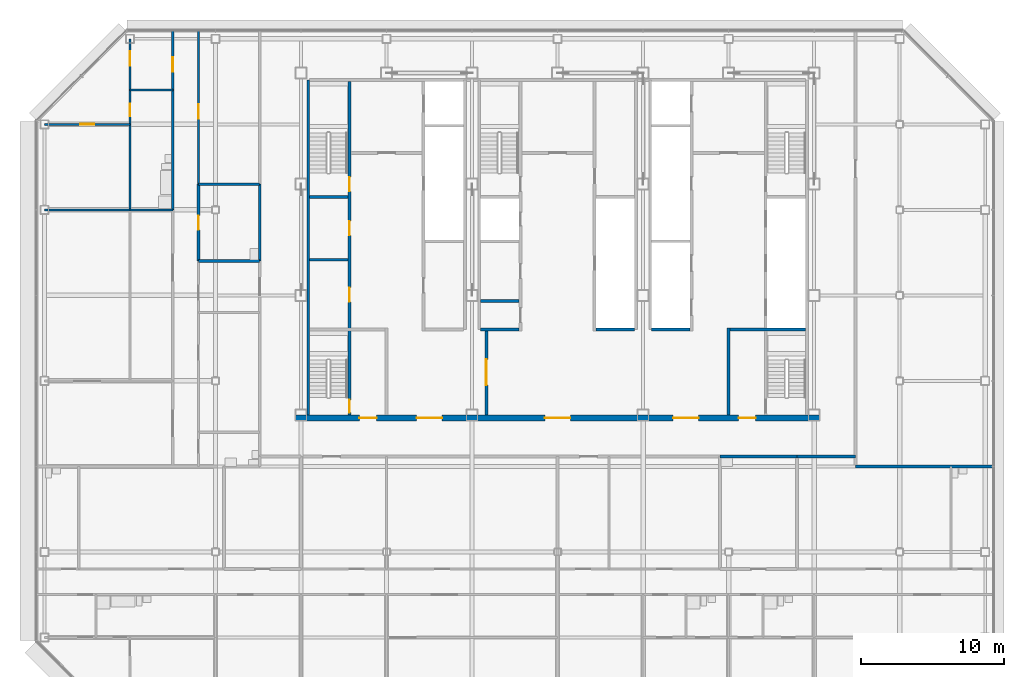
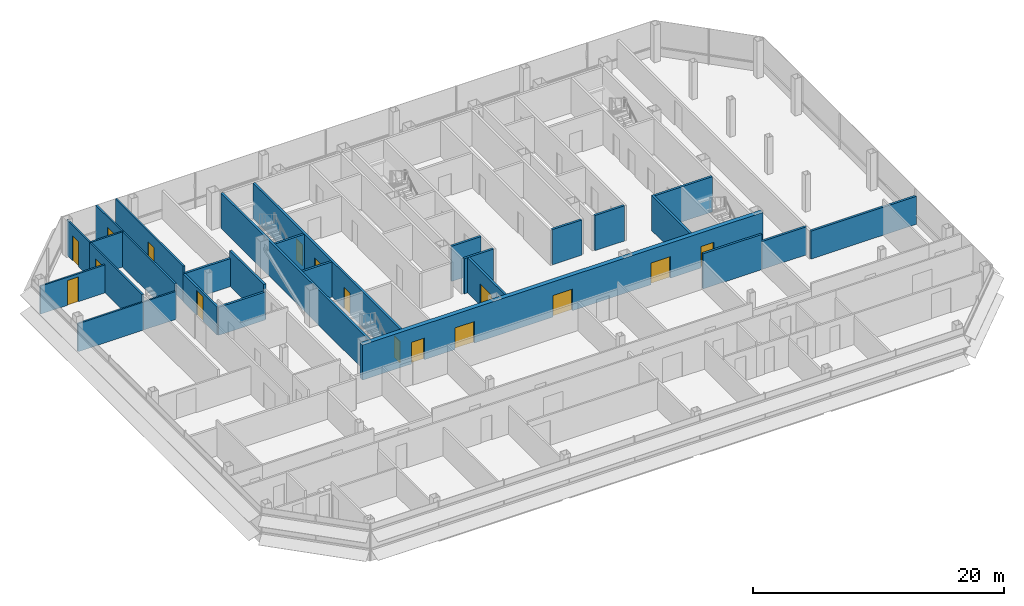
# One storey, part 23 of 27: 28 walls, 16 doors, 16 openings.
"""IFC4 building model written with IfcOpenShell, lengths in metres."""

from ifc_helpers import new_model, si_unit, direction, frame, frame_2d, origin, place, context, subcontext, project, spatial, rectangle, extrude, material, layer, layer_set, type_object, element, fill, save


model = new_model("IFC4")

# Units and contexts
model_context = context("Model", 3, precision=1e-05, world=origin(), true_north=direction((0.0, 1.0)))
body_context = subcontext(model_context, "Body", "Model", "MODEL_VIEW")
ifc_project = project(units=[si_unit("LENGTHUNIT", "METRE"), si_unit("AREAUNIT", "SQUARE_METRE"), si_unit("VOLUMEUNIT", "CUBIC_METRE"), si_unit("PLANEANGLEUNIT", "RADIAN"), si_unit("MASSUNIT", "GRAM", prefix="KILO")], contexts=[model_context])

# Site, building, storey
site_placement = place(None, origin())
site = spatial("IfcSite", under=ifc_project, at=site_placement, CompositionType="ELEMENT")
building_placement = place(site_placement, origin())
building = spatial("IfcBuilding", under=site, at=building_placement, Name="Sorahane Residences", CompositionType="ELEMENT")
storey_placement = place(building_placement, frame((0.0, 0.0, 246.800048828125)))
storey = spatial("IfcBuildingStorey", under=building, at=storey_placement, Name="L58", CompositionType="ELEMENT", Elevation=246.800048828125)

# Walls
ifc_material_1 = material(Name="Concrete C30", Category="concrete")
ifc_layer_1 = layer(ifc_material_1, 0.199951171875)
ifc_layer_set_1 = layer_set([ifc_layer_1], Name="Core face wall 200 EI 180")
wall_type_1 = type_object("IfcWallType", Name="Core face wall 200 EI 180", PredefinedType="SOLIDWALL", material=ifc_layer_set_1)
wall_1_placement = place(storey_placement, frame((6.5, 21.60009765625, 0.0), z_axis=(0.0, 0.0, 1.0), x_axis=(0.0, 1.0, 0.0)))
element("IfcWall", 1, at=wall_1_placement, inside=storey, type_object=wall_type_1, Name="L58 core face wall", PredefinedType="SOLIDWALL", context=body_context, shape_type="SweptSolid", body=[
    extrude(rectangle(XDim=23.5, YDim=0.199951171875, at=frame_2d((11.75, 0.0))), origin(), (0.0, 0.0, 1.0), 3.419921875),
])
ifc_material_2 = material(Name="Concrete blockwork C20 wall", Category="masonry")
ifc_layer_2 = layer(ifc_material_2, 0.199951171875)
ifc_layer_set_2 = layer_set([ifc_layer_2], Name="Corridor wall 200 EI 120")
wall_type_2 = type_object("IfcWallType", Name="Corridor wall 200 EI 120", PredefinedType="SOLIDWALL", material=ifc_layer_set_2)
wall_2_placement = place(storey_placement, frame((44.89990234375, 18.0, 0.0), z_axis=(0.0, 0.0, 1.0), x_axis=(1.0, 0.0, 0.0)))
element("IfcWall", 2, at=wall_2_placement, inside=storey, type_object=wall_type_2, Name="L58 corridor wall", PredefinedType="SOLIDWALL", context=body_context, shape_type="SweptSolid", body=[
    extrude(rectangle(XDim=9.7001953125, YDim=0.199951171875, at=frame_2d((4.85009765625, 0.0))), origin(), (0.0, 0.0, 1.0), 2.719970703125),
])
wall_3_placement = place(storey_placement, frame((40.800048828125, 18.699951171875, 0.0), z_axis=(0.0, 0.0, 1.0), x_axis=(1.0, 0.0, 0.0)))
element("IfcWall", 3, at=wall_3_placement, inside=storey, type_object=wall_type_2, Name="L58 corridor wall", PredefinedType="SOLIDWALL", context=body_context, shape_type="SweptSolid", body=[
    extrude(rectangle(XDim=4.099853515625, YDim=0.199951171875, at=frame_2d((2.0498046875, 0.0))), origin(), (0.0, 0.0, 1.0), 2.719970703125),
])
ifc_material_3 = material(Name="Concrete C30", Category="concrete")
ifc_layer_3 = layer(ifc_material_3, 0.199951171875)
ifc_layer_set_3 = layer_set([ifc_layer_3], Name="Front room wall 200 EI 120")
wall_type_3 = type_object("IfcWallType", Name="Front room wall 200 EI 120", PredefinedType="PARTITIONING", material=ifc_layer_set_3)
wall_4_placement = place(storey_placement, frame((36.0, 21.60009765625, 0.0), z_axis=(0.0, 0.0, 1.0), x_axis=(0.0, 1.0, 0.0)))
element("IfcWall", 4, at=wall_4_placement, inside=storey, type_object=wall_type_3, Name="L58 front room wall", PredefinedType="PARTITIONING", context=body_context, shape_type="SweptSolid", body=[
    extrude(rectangle(XDim=6.099853515625, YDim=0.199951171875, at=frame_2d((3.0498046875, 0.0))), origin(), (0.0, 0.0, 1.0), 3.419921875),
])

# Wall, opening, door
ifc_material_4 = material(Name="Concrete blockwork C20 wall", Category="masonry")
ifc_layer_4 = layer(ifc_material_4, 0.199951171875)
ifc_layer_set_4 = layer_set([ifc_layer_4], Name="Kitchen wall 200 EI 180")
wall_type_4 = type_object("IfcWallType", Name="Kitchen wall 200 EI 180", PredefinedType="SOLIDWALL", material=ifc_layer_set_4)
wall_5_placement = place(storey_placement, frame((-1.199951171875, 32.39990234375, 0.0), z_axis=(0.0, 0.0, 1.0), x_axis=(0.0, 1.0, 0.0)))
wall_5 = element("IfcWall", 5, at=wall_5_placement, inside=storey, type_object=wall_type_4, Name="L58 kitchen wall", PredefinedType="SOLIDWALL", context=body_context, shape_type="SweptSolid", body=[
    extrude(rectangle(XDim=5.400146484375, YDim=0.199951171875, at=frame_2d((2.7001953125, 0.0))), origin(), (0.0, 0.0, 1.0), 2.719970703125),
])
opening_1_placement = place(wall_5_placement, frame((2.199951171875, 0.0, 0.0)))
opening_1 = element("IfcOpeningElement", 6, at=opening_1_placement, cuts=wall_5, Name="Opening L58-31", PredefinedType="OPENING", context=body_context, shape_type="SweptSolid", body=[
    extrude(rectangle(XDim=1.0, YDim=2.39990234375, at=frame_2d((0.5, 1.199951171875))), frame((0.0, 0.10986328125, 0.0), z_axis=(0.0, -1.0, 0.0), x_axis=(1.0, 0.0, 0.0)), (0.0, 0.0, 1.0), 0.219970703125),
])
ifc_material_5 = material(Name="Steel", Category="steel")
door_type_1 = type_object("IfcDoorType", Name="Kitchen door 1000x2400 FD120", OperationType="NOTDEFINED", PredefinedType="DOOR", material=ifc_material_5)
door_1_placement = place(opening_1_placement, frame((1.0, 0.0, 0.0), z_axis=(0.0, 0.0, 1.0), x_axis=(-1.0, 0.0, 0.0)))
door_1 = element("IfcDoor", 7, at=door_1_placement, inside=storey, type_object=door_type_1, Name="Kitchen door L58-31", OperationType="SINGLE_SWING_LEFT", OverallHeight=2.39990234375, OverallWidth=1.0, PredefinedType="DOOR", context=body_context, shape_type="SweptSolid", body=[
    extrude(rectangle(XDim=1.0, YDim=2.39990234375, at=frame_2d((0.5, 1.199951171875))), frame((0.0, 0.02490234375, 0.0), z_axis=(0.0, -1.0, 0.0), x_axis=(1.0, 0.0, 0.0)), (0.0, 0.0, 1.0), 0.050048828125),
])
fill(opening_1, door_1)

# Walls
for number, where, z_axis, x_axis, name in (
    (8, (3.10009765625, 32.39990234375, 0.0), (0.0, 0.0, 1.0), (0.0, 1.0, 0.0), "L58 kitchen wall"),
    (9, (35.39990234375, 18.699951171875, 0.0), (0.0, 0.0, 1.0), (1.0, 0.0, 0.0), "L58 kitchen wall"),
):
    element("IfcWall", number, at=place(storey_placement, frame(where, z_axis=z_axis, x_axis=x_axis)), inside=storey, type_object=wall_type_4, Name=name, PredefinedType="SOLIDWALL", context=body_context, shape_type="SweptSolid", body=[
        extrude(rectangle(XDim=5.400146484375, YDim=0.199951171875, at=frame_2d((2.7001953125, 0.0))), origin(), (0.0, 0.0, 1.0), 3.419921875),
    ])
for number, where, z_axis, x_axis, name in (
    (10, (-1.199951171875, 32.39990234375, 0.0), (0.0, 0.0, 1.0), (1.0, 0.0, 0.0), "L58 kitchen wall"),
    (11, (-1.199951171875, 37.800048828125, 0.0), (0.0, 0.0, 1.0), (1.0, 0.0, 0.0), "L58 kitchen wall"),
):
    element("IfcWall", number, at=place(storey_placement, frame(where, z_axis=z_axis, x_axis=x_axis)), inside=storey, type_object=wall_type_4, Name=name, PredefinedType="SOLIDWALL", context=body_context, shape_type="SweptSolid", body=[
        extrude(rectangle(XDim=4.300048828125, YDim=0.199951171875, at=frame_2d((2.14990234375, 0.0))), origin(), (0.0, 0.0, 1.0), 2.719970703125),
    ])
ifc_material_6 = material(Name="Concrete C30", Category="concrete")
ifc_layer_5 = layer(ifc_material_6, 0.199951171875)
ifc_layer_set_5 = layer_set([ifc_layer_5], Name="Lift shaft wall 200 EI 120")
wall_type_5 = type_object("IfcWallType", Name="Lift shaft wall 200 EI 120", PredefinedType="SOLIDWALL", material=ifc_layer_set_5)
wall_6_placement = place(storey_placement, frame((30.60009765625, 27.60009765625, 0.0), z_axis=(0.0, 0.0, 1.0), x_axis=(1.0, 0.0, 0.0)))
element("IfcWall", 12, at=wall_6_placement, inside=storey, type_object=wall_type_5, Name="L58 lift shaft wall", PredefinedType="SOLIDWALL", context=body_context, shape_type="SweptSolid", body=[
    extrude(rectangle(XDim=2.699951171875, YDim=0.199951171875, at=frame_2d((1.35009765625, 0.0))), origin(), (0.0, 0.0, 1.0), 3.419921875),
])

# Wall, opening, door
ifc_material_7 = material(Name="Gypsum board partition on steel studs", Category="steel")
ifc_layer_6 = layer(ifc_material_7, 0.14990234375)
ifc_layer_set_6 = layer_set([ifc_layer_6], Name="Partition 150 EI 90")
wall_type_6 = type_object("IfcWallType", Name="Partition 150 EI 90", PredefinedType="PARTITIONING", material=ifc_layer_set_6)
wall_7_placement = place(storey_placement, frame((-1.199951171875, 37.800048828125, 0.0), z_axis=(0.0, 0.0, 1.0), x_axis=(0.0, 1.0, 0.0)))
wall_7 = element("IfcWall", 13, at=wall_7_placement, inside=storey, type_object=wall_type_6, Name="L58 partition", PredefinedType="PARTITIONING", context=body_context, shape_type="SweptSolid", body=[
    extrude(rectangle(XDim=10.800048828125, YDim=0.14990234375, at=frame_2d((5.39990234375, 0.0))), origin(), (0.0, 0.0, 1.0), 3.419921875),
])
opening_2_placement = place(wall_7_placement, frame((4.60009765625, 0.0, 0.0)))
opening_2 = element("IfcOpeningElement", 14, at=opening_2_placement, cuts=wall_7, Name="Opening L58-32", PredefinedType="OPENING", context=body_context, shape_type="SweptSolid", body=[
    extrude(rectangle(XDim=1.0, YDim=2.39990234375, at=frame_2d((0.5, 1.199951171875))), frame((0.0, 0.0849609375, 0.0), z_axis=(0.0, -1.0, 0.0), x_axis=(1.0, 0.0, 0.0)), (0.0, 0.0, 1.0), 0.169921875),
])
ifc_material_8 = material(Name="Timber veneered fire door", Category="wood")
door_type_2 = type_object("IfcDoorType", Name="Room door 1000x2400 FD30", OperationType="NOTDEFINED", PredefinedType="DOOR", material=ifc_material_8)
door_2_placement = place(opening_2_placement, frame((1.0, 0.0, 0.0), z_axis=(0.0, 0.0, 1.0), x_axis=(-1.0, 0.0, 0.0)))
door_2 = element("IfcDoor", 15, at=door_2_placement, inside=storey, type_object=door_type_2, Name="Room door L58-32", OperationType="SINGLE_SWING_LEFT", OverallHeight=2.39990234375, OverallWidth=1.0, PredefinedType="DOOR", context=body_context, shape_type="SweptSolid", body=[
    extrude(rectangle(XDim=1.0, YDim=2.39990234375, at=frame_2d((0.5, 1.199951171875))), frame((0.0, 0.02490234375, 0.0), z_axis=(0.0, -1.0, 0.0), x_axis=(1.0, 0.0, 0.0)), (0.0, 0.0, 1.0), 0.050048828125),
])
fill(opening_2, door_2)

wall_8_placement = place(storey_placement, frame((-3.0, 44.39990234375, 0.0), z_axis=(0.0, 0.0, 1.0), x_axis=(0.0, 1.0, 0.0)))
wall_8 = element("IfcWall", 16, at=wall_8_placement, inside=storey, type_object=wall_type_6, Name="L58 partition", PredefinedType="PARTITIONING", context=body_context, shape_type="SweptSolid", body=[
    extrude(rectangle(XDim=4.2001953125, YDim=0.14990234375, at=frame_2d((2.10009765625, 0.0))), origin(), (0.0, 0.0, 1.0), 3.419921875),
])
opening_3_placement = place(wall_8_placement, frame((1.300048828125, 0.0, 0.0)))
opening_3 = element("IfcOpeningElement", 17, at=opening_3_placement, cuts=wall_8, Name="Opening L58-36", PredefinedType="OPENING", context=body_context, shape_type="SweptSolid", body=[
    extrude(rectangle(XDim=1.0, YDim=2.39990234375, at=frame_2d((0.5, 1.199951171875))), frame((0.0, 0.0849609375, 0.0), z_axis=(0.0, -1.0, 0.0), x_axis=(1.0, 0.0, 0.0)), (0.0, 0.0, 1.0), 0.169921875),
])
door_3_placement = place(opening_3_placement, origin())
door_3 = element("IfcDoor", 18, at=door_3_placement, inside=storey, type_object=door_type_2, Name="Room door L58-36", OperationType="SINGLE_SWING_LEFT", OverallHeight=2.39990234375, OverallWidth=1.0, PredefinedType="DOOR", context=body_context, shape_type="SweptSolid", body=[
    extrude(rectangle(XDim=1.0, YDim=2.39990234375, at=frame_2d((0.5, 1.199951171875))), frame((0.0, 0.02490234375, 0.0), z_axis=(0.0, -1.0, 0.0), x_axis=(1.0, 0.0, 0.0)), (0.0, 0.0, 1.0), 0.050048828125),
])
fill(opening_3, door_3)

wall_9_placement = place(storey_placement, frame((-6.0, 44.39990234375, 0.0), z_axis=(0.0, 0.0, 1.0), x_axis=(0.0, 1.0, 0.0)))
wall_9 = element("IfcWall", 19, at=wall_9_placement, inside=storey, type_object=wall_type_6, Name="L58 partition", PredefinedType="PARTITIONING", context=body_context, shape_type="SweptSolid", body=[
    extrude(rectangle(XDim=3.60009765625, YDim=0.14990234375, at=frame_2d((1.800048828125, 0.0))), origin(), (0.0, 0.0, 1.0), 3.419921875),
])
opening_4_placement = place(wall_9_placement, frame((1.719970703125, 0.0, 0.0)))
opening_4 = element("IfcOpeningElement", 20, at=opening_4_placement, cuts=wall_9, Name="Opening L58-37", PredefinedType="OPENING", context=body_context, shape_type="SweptSolid", body=[
    extrude(rectangle(XDim=1.0, YDim=2.39990234375, at=frame_2d((0.5, 1.199951171875))), frame((0.0, 0.0849609375, 0.0), z_axis=(0.0, -1.0, 0.0), x_axis=(1.0, 0.0, 0.0)), (0.0, 0.0, 1.0), 0.169921875),
])
door_4_placement = place(opening_4_placement, origin())
door_4 = element("IfcDoor", 21, at=door_4_placement, inside=storey, type_object=door_type_2, Name="Room door L58-37", OperationType="SINGLE_SWING_RIGHT", OverallHeight=2.39990234375, OverallWidth=1.0, PredefinedType="DOOR", context=body_context, shape_type="SweptSolid", body=[
    extrude(rectangle(XDim=1.0, YDim=2.39990234375, at=frame_2d((0.5, 1.199951171875))), frame((0.0, 0.02490234375, 0.0), z_axis=(0.0, -1.0, 0.0), x_axis=(1.0, 0.0, 0.0)), (0.0, 0.0, 1.0), 0.050048828125),
])
fill(opening_4, door_4)

# Wall
wall_10_placement = place(storey_placement, frame((-12.0, 36.0, 0.0), z_axis=(0.0, 0.0, 1.0), x_axis=(1.0, 0.0, 0.0)))
element("IfcWall", 22, at=wall_10_placement, inside=storey, type_object=wall_type_6, Name="L58 partition", PredefinedType="PARTITIONING", context=body_context, shape_type="SweptSolid", body=[
    extrude(rectangle(XDim=6.0, YDim=0.14990234375, at=frame_2d((3.0, 0.0))), origin(), (0.0, 0.0, 1.0), 2.719970703125),
])

# Wall, opening, door
wall_11_placement = place(storey_placement, frame((-12.0, 42.0, 0.0), z_axis=(0.0, 0.0, 1.0), x_axis=(1.0, 0.0, 0.0)))
wall_11 = element("IfcWall", 23, at=wall_11_placement, inside=storey, type_object=wall_type_6, Name="L58 partition", PredefinedType="PARTITIONING", context=body_context, shape_type="SweptSolid", body=[
    extrude(rectangle(XDim=6.0, YDim=0.14990234375, at=frame_2d((3.0, 0.0))), origin(), (0.0, 0.0, 1.0), 2.719970703125),
])
opening_5_placement = place(wall_11_placement, frame((2.5, 0.0, 0.0)))
opening_5 = element("IfcOpeningElement", 24, at=opening_5_placement, cuts=wall_11, Name="Opening L58-38", PredefinedType="OPENING", context=body_context, shape_type="SweptSolid", body=[
    extrude(rectangle(XDim=1.0, YDim=2.39990234375, at=frame_2d((0.5, 1.199951171875))), frame((0.0, 0.0849609375, 0.0), z_axis=(0.0, -1.0, 0.0), x_axis=(1.0, 0.0, 0.0)), (0.0, 0.0, 1.0), 0.169921875),
])
door_5_placement = place(opening_5_placement, frame((1.0, 0.0, 0.0), z_axis=(0.0, 0.0, 1.0), x_axis=(-1.0, 0.0, 0.0)))
door_5 = element("IfcDoor", 25, at=door_5_placement, inside=storey, type_object=door_type_2, Name="Room door L58-38", OperationType="SINGLE_SWING_RIGHT", OverallHeight=2.39990234375, OverallWidth=1.0, PredefinedType="DOOR", context=body_context, shape_type="SweptSolid", body=[
    extrude(rectangle(XDim=1.0, YDim=2.39990234375, at=frame_2d((0.5, 1.199951171875))), frame((0.0, 0.02490234375, 0.0), z_axis=(0.0, -1.0, 0.0), x_axis=(1.0, 0.0, 0.0)), (0.0, 0.0, 1.0), 0.050048828125),
])
fill(opening_5, door_5)

# Wall
ifc_material_9 = material(Name="Concrete C30", Category="concrete")
ifc_layer_7 = layer(ifc_material_9, 0.199951171875)
ifc_layer_set_7 = layer_set([ifc_layer_7], Name="Riser shaft wall 200 EI 120")
wall_type_7 = type_object("IfcWallType", Name="Riser shaft wall 200 EI 120", PredefinedType="SOLIDWALL", material=ifc_layer_set_7)
wall_12_placement = place(storey_placement, frame((26.699951171875, 27.60009765625, 0.0), z_axis=(0.0, 0.0, 1.0), x_axis=(1.0, 0.0, 0.0)))
element("IfcWall", 26, at=wall_12_placement, inside=storey, type_object=wall_type_7, Name="L58 riser wall", PredefinedType="SOLIDWALL", context=body_context, shape_type="SweptSolid", body=[
    extrude(rectangle(XDim=2.699951171875, YDim=0.199951171875, at=frame_2d((1.35009765625, 0.0))), origin(), (0.0, 0.0, 1.0), 3.419921875),
])

# Wall, opening, door
ifc_material_10 = material(Name="Concrete C30", Category="concrete")
ifc_layer_8 = layer(ifc_material_10, 0.199951171875)
ifc_layer_set_8 = layer_set([ifc_layer_8], Name="Service room partition 200 EI 60")
wall_type_8 = type_object("IfcWallType", Name="Service room partition 200 EI 60", PredefinedType="PARTITIONING", material=ifc_layer_set_8)
wall_13_placement = place(storey_placement, frame((19.0, 21.60009765625, 0.0), z_axis=(0.0, 0.0, 1.0), x_axis=(0.0, 1.0, 0.0)))
wall_13 = element("IfcWall", 27, at=wall_13_placement, inside=storey, type_object=wall_type_8, Name="L58 service room wall", PredefinedType="PARTITIONING", context=body_context, shape_type="SweptSolid", body=[
    extrude(rectangle(XDim=6.0, YDim=0.199951171875, at=frame_2d((3.0, 0.0))), origin(), (0.0, 0.0, 1.0), 3.419921875),
])
opening_6_placement = place(wall_13_placement, frame((2.10009765625, 0.0, 0.0)))
opening_6 = element("IfcOpeningElement", 28, at=opening_6_placement, cuts=wall_13, Name="Opening L58-C02", PredefinedType="OPENING", context=body_context, shape_type="SweptSolid", body=[
    extrude(rectangle(XDim=1.800048828125, YDim=2.10009765625, at=frame_2d((0.89990234375, 1.050048828125))), frame((0.0, 0.10986328125, 0.0), z_axis=(0.0, -1.0, 0.0), x_axis=(1.0, 0.0, 0.0)), (0.0, 0.0, 1.0), 0.219970703125),
])
ifc_material_11 = material(Name="Steel", Category="steel")
door_type_3 = type_object("IfcDoorType", Name="Waiting hall door 1800x2100 FD60", OperationType="NOTDEFINED", PredefinedType="DOOR", material=ifc_material_11)
door_6_placement = place(opening_6_placement, origin())
door_6 = element("IfcDoor", 29, at=door_6_placement, inside=storey, type_object=door_type_3, Name="Waiting hall door Residents' waiting hall west L58", OperationType="SINGLE_SWING_LEFT", OverallHeight=2.10009765625, OverallWidth=1.800048828125, PredefinedType="DOOR", context=body_context, shape_type="SweptSolid", body=[
    extrude(rectangle(XDim=1.800048828125, YDim=2.10009765625, at=frame_2d((0.89990234375, 1.050048828125))), frame((0.0, 0.02490234375, 0.0), z_axis=(0.0, -1.0, 0.0), x_axis=(1.0, 0.0, 0.0)), (0.0, 0.0, 1.0), 0.050048828125),
])
fill(opening_6, door_6)

# Walls
for number, where, z_axis, x_axis, name in (
    (30, (18.60009765625, 27.60009765625, 0.0), (0.0, 0.0, 1.0), (1.0, 0.0, 0.0), "L58 service room wall"),
    (31, (18.60009765625, 29.60009765625, 0.0), (0.0, 0.0, 1.0), (1.0, 0.0, 0.0), "L58 service room wall"),
    (32, (6.60009765625, 32.5, 0.0), (0.0, 0.0, 1.0), (1.0, 0.0, 0.0), "L58 service room wall"),
):
    element("IfcWall", number, at=place(storey_placement, frame(where, z_axis=z_axis, x_axis=x_axis)), inside=storey, type_object=wall_type_8, Name=name, PredefinedType="PARTITIONING", context=body_context, shape_type="SweptSolid", body=[
        extrude(rectangle(XDim=2.699951171875, YDim=0.199951171875, at=frame_2d((1.35009765625, 0.0))), origin(), (0.0, 0.0, 1.0), 3.419921875),
    ])

# Wall, openings, doors
ifc_material_12 = material(Name="Concrete C30", Category="concrete")
ifc_layer_9 = layer(ifc_material_12, 0.199951171875)
ifc_layer_set_9 = layer_set([ifc_layer_9], Name="Stair enclosure wall 200 EI 120")
wall_type_9 = type_object("IfcWallType", Name="Stair enclosure wall 200 EI 120", PredefinedType="SOLIDWALL", material=ifc_layer_set_9)
wall_14_placement = place(storey_placement, frame((9.39990234375, 21.60009765625, 0.0), z_axis=(0.0, 0.0, 1.0), x_axis=(0.0, 1.0, 0.0)))
wall_14 = element("IfcWall", 33, at=wall_14_placement, inside=storey, type_object=wall_type_9, Name="L58 stair enclosure wall", PredefinedType="SOLIDWALL", context=body_context, shape_type="SweptSolid", body=[
    extrude(rectangle(XDim=23.39990234375, YDim=0.199951171875, at=frame_2d((11.699951171875, 0.0))), origin(), (0.0, 0.0, 1.0), 3.419921875),
])
opening_7_placement = place(wall_14_placement, frame((7.949951171875, 0.0, 0.0)))
opening_7 = element("IfcOpeningElement", 34, at=opening_7_placement, cuts=wall_14, Name="Opening L58-C20", PredefinedType="OPENING", context=body_context, shape_type="SweptSolid", body=[
    extrude(rectangle(XDim=1.0, YDim=2.10009765625, at=frame_2d((0.5, 1.050048828125))), frame((0.0, 0.10986328125, 0.0), z_axis=(0.0, -1.0, 0.0), x_axis=(1.0, 0.0, 0.0)), (0.0, 0.0, 1.0), 0.219970703125),
])
opening_8_placement = place(wall_14_placement, frame((12.60009765625, 0.0, 0.0)))
opening_8 = element("IfcOpeningElement", 35, at=opening_8_placement, cuts=wall_14, Name="Opening L58-C21", PredefinedType="OPENING", context=body_context, shape_type="SweptSolid", body=[
    extrude(rectangle(XDim=1.0, YDim=2.10009765625, at=frame_2d((0.5, 1.050048828125))), frame((0.0, 0.10986328125, 0.0), z_axis=(0.0, -1.0, 0.0), x_axis=(1.0, 0.0, 0.0)), (0.0, 0.0, 1.0), 0.219970703125),
])
opening_9_placement = place(wall_14_placement, frame((15.699951171875, 0.0, 0.0)))
opening_9 = element("IfcOpeningElement", 36, at=opening_9_placement, cuts=wall_14, Name="Opening L58-C22", PredefinedType="OPENING", context=body_context, shape_type="SweptSolid", body=[
    extrude(rectangle(XDim=1.0, YDim=2.10009765625, at=frame_2d((0.5, 1.050048828125))), frame((0.0, 0.10986328125, 0.0), z_axis=(0.0, -1.0, 0.0), x_axis=(1.0, 0.0, 0.0)), (0.0, 0.0, 1.0), 0.219970703125),
])
opening_10_placement = place(wall_14_placement, frame((0.175048828125, 0.0, 0.0)))
opening_10 = element("IfcOpeningElement", 37, at=opening_10_placement, cuts=wall_14, Name="Opening L58-C25", PredefinedType="OPENING", context=body_context, shape_type="SweptSolid", body=[
    extrude(rectangle(XDim=0.89990234375, YDim=2.10009765625, at=frame_2d((0.449951171875, 1.050048828125))), frame((0.0, 0.10986328125, 0.0), z_axis=(0.0, -1.0, 0.0), x_axis=(1.0, 0.0, 0.0)), (0.0, 0.0, 1.0), 0.219970703125),
])
ifc_material_13 = material(Name="Steel", Category="steel")
door_type_4 = type_object("IfcDoorType", Name="Service room door 1000x2100 FD60", OperationType="NOTDEFINED", PredefinedType="DOOR", material=ifc_material_13)
door_7_placement = place(opening_7_placement, origin())
door_7 = element("IfcDoor", 38, at=door_7_placement, inside=storey, type_object=door_type_4, Name="Service room door Study L58", OperationType="SINGLE_SWING_LEFT", OverallHeight=2.10009765625, OverallWidth=1.0, PredefinedType="DOOR", context=body_context, shape_type="SweptSolid", body=[
    extrude(rectangle(XDim=1.0, YDim=2.10009765625, at=frame_2d((0.5, 1.050048828125))), frame((0.0, 0.02490234375, 0.0), z_axis=(0.0, -1.0, 0.0), x_axis=(1.0, 0.0, 0.0)), (0.0, 0.0, 1.0), 0.050048828125),
])
fill(opening_7, door_7)
door_8_placement = place(opening_8_placement, origin())
door_8 = element("IfcDoor", 39, at=door_8_placement, inside=storey, type_object=door_type_4, Name="Service room door Lounge L58", OperationType="SINGLE_SWING_RIGHT", OverallHeight=2.10009765625, OverallWidth=1.0, PredefinedType="DOOR", context=body_context, shape_type="SweptSolid", body=[
    extrude(rectangle(XDim=1.0, YDim=2.10009765625, at=frame_2d((0.5, 1.050048828125))), frame((0.0, 0.02490234375, 0.0), z_axis=(0.0, -1.0, 0.0), x_axis=(1.0, 0.0, 0.0)), (0.0, 0.0, 1.0), 0.050048828125),
])
fill(opening_8, door_8)
ifc_material_14 = material(Name="Steel", Category="steel")
door_type_5 = type_object("IfcDoorType", Name="Stair door 1000x2100 FD120", OperationType="NOTDEFINED", PredefinedType="DOOR", material=ifc_material_14)
door_9_placement = place(opening_9_placement, origin())
door_9 = element("IfcDoor", 40, at=door_9_placement, inside=storey, type_object=door_type_5, Name="Stair door S1 L58", OperationType="SINGLE_SWING_LEFT", OverallHeight=2.10009765625, OverallWidth=1.0, PredefinedType="DOOR", context=body_context, shape_type="SweptSolid", body=[
    extrude(rectangle(XDim=1.0, YDim=2.10009765625, at=frame_2d((0.5, 1.050048828125))), frame((0.0, 0.02490234375, 0.0), z_axis=(0.0, -1.0, 0.0), x_axis=(1.0, 0.0, 0.0)), (0.0, 0.0, 1.0), 0.050048828125),
])
fill(opening_9, door_9)
ifc_material_15 = material(Name="Steel", Category="steel")
door_type_6 = type_object("IfcDoorType", Name="Stair door 900x2100 FD120", OperationType="NOTDEFINED", PredefinedType="DOOR", material=ifc_material_15)
door_10_placement = place(opening_10_placement, origin())
door_10 = element("IfcDoor", 41, at=door_10_placement, inside=storey, type_object=door_type_6, Name="Stair door S4 L58", OperationType="SINGLE_SWING_LEFT", OverallHeight=2.10009765625, OverallWidth=0.89990234375, PredefinedType="DOOR", context=body_context, shape_type="SweptSolid", body=[
    extrude(rectangle(XDim=0.89990234375, YDim=2.10009765625, at=frame_2d((0.449951171875, 1.050048828125))), frame((0.0, 0.02490234375, 0.0), z_axis=(0.0, -1.0, 0.0), x_axis=(1.0, 0.0, 0.0)), (0.0, 0.0, 1.0), 0.050048828125),
])
fill(opening_10, door_10)

# Walls
wall_15_placement = place(storey_placement, frame((36.10009765625, 27.60009765625, 0.0), z_axis=(0.0, 0.0, 1.0), x_axis=(1.0, 0.0, 0.0)))
element("IfcWall", 42, at=wall_15_placement, inside=storey, type_object=wall_type_9, Name="L58 stair enclosure wall", PredefinedType="SOLIDWALL", context=body_context, shape_type="SweptSolid", body=[
    extrude(rectangle(XDim=5.2998046875, YDim=0.199951171875, at=frame_2d((2.64990234375, 0.0))), origin(), (0.0, 0.0, 1.0), 3.419921875),
])
wall_16_placement = place(storey_placement, frame((6.60009765625, 36.89990234375, 0.0), z_axis=(0.0, 0.0, 1.0), x_axis=(1.0, 0.0, 0.0)))
element("IfcWall", 43, at=wall_16_placement, inside=storey, type_object=wall_type_9, Name="L58 stair enclosure wall", PredefinedType="SOLIDWALL", context=body_context, shape_type="SweptSolid", body=[
    extrude(rectangle(XDim=2.699951171875, YDim=0.199951171875, at=frame_2d((1.35009765625, 0.0))), origin(), (0.0, 0.0, 1.0), 3.419921875),
])

# Wall, openings, doors
ifc_material_16 = material(Name="Concrete C30", Category="concrete")
ifc_layer_10 = layer(ifc_material_16, 0.39990234375)
ifc_layer_set_10 = layer_set([ifc_layer_10], Name="Waiting hall wall 400 EI 120")
wall_type_10 = type_object("IfcWallType", Name="Waiting hall wall 400 EI 120", PredefinedType="SOLIDWALL", material=ifc_layer_set_10)
wall_17_placement = place(storey_placement, frame((5.60009765625, 21.39990234375, 0.0), z_axis=(0.0, 0.0, 1.0), x_axis=(1.0, 0.0, 0.0)))
wall_17 = element("IfcWall", 44, at=wall_17_placement, inside=storey, type_object=wall_type_10, Name="L58 waiting hall wall", PredefinedType="SOLIDWALL", context=body_context, shape_type="SweptSolid", body=[
    extrude(rectangle(XDim=36.7998046875, YDim=0.39990234375, at=frame_2d((18.39990234375, 0.0))), origin(), (0.0, 0.0, 1.0), 3.419921875),
])
opening_11_placement = place(wall_17_placement, frame((8.5, 0.0, 0.0)))
opening_11 = element("IfcOpeningElement", 45, at=opening_11_placement, cuts=wall_17, Name="Opening L58-C01", PredefinedType="OPENING", context=body_context, shape_type="SweptSolid", body=[
    extrude(rectangle(XDim=1.800048828125, YDim=2.10009765625, at=frame_2d((0.89990234375, 1.050048828125))), frame((0.0, 0.2099609375, 0.0), z_axis=(0.0, -1.0, 0.0), x_axis=(1.0, 0.0, 0.0)), (0.0, 0.0, 1.0), 0.419921875),
])
opening_12_placement = place(wall_17_placement, frame((17.5, 0.0, 0.0)))
opening_12 = element("IfcOpeningElement", 46, at=opening_12_placement, cuts=wall_17, Name="Opening L58-C03", PredefinedType="OPENING", context=body_context, shape_type="SweptSolid", body=[
    extrude(rectangle(XDim=1.800048828125, YDim=2.10009765625, at=frame_2d((0.89990234375, 1.050048828125))), frame((0.0, 0.2099609375, 0.0), z_axis=(0.0, -1.0, 0.0), x_axis=(1.0, 0.0, 0.0)), (0.0, 0.0, 1.0), 0.419921875),
])
opening_13_placement = place(wall_17_placement, frame((26.5, 0.0, 0.0)))
opening_13 = element("IfcOpeningElement", 47, at=opening_13_placement, cuts=wall_17, Name="Opening L58-C04", PredefinedType="OPENING", context=body_context, shape_type="SweptSolid", body=[
    extrude(rectangle(XDim=1.800048828125, YDim=2.10009765625, at=frame_2d((0.89990234375, 1.050048828125))), frame((0.0, 0.2099609375, 0.0), z_axis=(0.0, -1.0, 0.0), x_axis=(1.0, 0.0, 0.0)), (0.0, 0.0, 1.0), 0.419921875),
])
opening_14_placement = place(wall_17_placement, frame((4.5, 0.0, 0.0)))
opening_14 = element("IfcOpeningElement", 48, at=opening_14_placement, cuts=wall_17, Name="Opening L58-C05", PredefinedType="OPENING", context=body_context, shape_type="SweptSolid", body=[
    extrude(rectangle(XDim=1.199951171875, YDim=2.10009765625, at=frame_2d((0.60009765625, 1.050048828125))), frame((0.0, 0.2099609375, 0.0), z_axis=(0.0, -1.0, 0.0), x_axis=(1.0, 0.0, 0.0)), (0.0, 0.0, 1.0), 0.419921875),
])
opening_15_placement = place(wall_17_placement, frame((31.10009765625, 0.0, 0.0)))
opening_15 = element("IfcOpeningElement", 49, at=opening_15_placement, cuts=wall_17, Name="Opening L58-C06", PredefinedType="OPENING", context=body_context, shape_type="SweptSolid", body=[
    extrude(rectangle(XDim=1.199951171875, YDim=2.10009765625, at=frame_2d((0.60009765625, 1.050048828125))), frame((0.0, 0.2099609375, 0.0), z_axis=(0.0, -1.0, 0.0), x_axis=(1.0, 0.0, 0.0)), (0.0, 0.0, 1.0), 0.419921875),
])
ifc_material_17 = material(Name="Steel", Category="steel")
door_type_7 = type_object("IfcDoorType", Name="Stair front room door 1200x2100 FD120", OperationType="NOTDEFINED", PredefinedType="DOOR", material=ifc_material_17)
door_11_placement = place(opening_14_placement, frame((1.199951171875, 0.0, 0.0), z_axis=(0.0, 0.0, 1.0), x_axis=(-1.0, 0.0, 0.0)))
door_11 = element("IfcDoor", 50, at=door_11_placement, inside=storey, type_object=door_type_7, Name="Stair front room door Stair S4 front room L58", OperationType="SINGLE_SWING_LEFT", OverallHeight=2.10009765625, OverallWidth=1.199951171875, PredefinedType="DOOR", context=body_context, shape_type="SweptSolid", body=[
    extrude(rectangle(XDim=1.199951171875, YDim=2.10009765625, at=frame_2d((0.60009765625, 1.050048828125))), frame((0.0, 0.02490234375, 0.0), z_axis=(0.0, -1.0, 0.0), x_axis=(1.0, 0.0, 0.0)), (0.0, 0.0, 1.0), 0.050048828125),
])
fill(opening_14, door_11)
door_12_placement = place(opening_15_placement, frame((1.199951171875, 0.0, 0.0), z_axis=(0.0, 0.0, 1.0), x_axis=(-1.0, 0.0, 0.0)))
door_12 = element("IfcDoor", 51, at=door_12_placement, inside=storey, type_object=door_type_7, Name="Stair front room door Stair S5 front room L58", OperationType="SINGLE_SWING_LEFT", OverallHeight=2.10009765625, OverallWidth=1.199951171875, PredefinedType="DOOR", context=body_context, shape_type="SweptSolid", body=[
    extrude(rectangle(XDim=1.199951171875, YDim=2.10009765625, at=frame_2d((0.60009765625, 1.050048828125))), frame((0.0, 0.02490234375, 0.0), z_axis=(0.0, -1.0, 0.0), x_axis=(1.0, 0.0, 0.0)), (0.0, 0.0, 1.0), 0.050048828125),
])
fill(opening_15, door_12)
door_13_placement = place(opening_11_placement, frame((1.800048828125, 0.0, 0.0), z_axis=(0.0, 0.0, 1.0), x_axis=(-1.0, 0.0, 0.0)))
door_13 = element("IfcDoor", 52, at=door_13_placement, inside=storey, type_object=door_type_3, Name="Waiting hall door Residents' waiting hall west L58", OperationType="SINGLE_SWING_LEFT", OverallHeight=2.10009765625, OverallWidth=1.800048828125, PredefinedType="DOOR", context=body_context, shape_type="SweptSolid", body=[
    extrude(rectangle(XDim=1.800048828125, YDim=2.10009765625, at=frame_2d((0.89990234375, 1.050048828125))), frame((0.0, 0.02490234375, 0.0), z_axis=(0.0, -1.0, 0.0), x_axis=(1.0, 0.0, 0.0)), (0.0, 0.0, 1.0), 0.050048828125),
])
fill(opening_11, door_13)
door_14_placement = place(opening_12_placement, frame((1.800048828125, 0.0, 0.0), z_axis=(0.0, 0.0, 1.0), x_axis=(-1.0, 0.0, 0.0)))
door_14 = element("IfcDoor", 53, at=door_14_placement, inside=storey, type_object=door_type_3, Name="Waiting hall door Residents' waiting hall east L58", OperationType="SINGLE_SWING_LEFT", OverallHeight=2.10009765625, OverallWidth=1.800048828125, PredefinedType="DOOR", context=body_context, shape_type="SweptSolid", body=[
    extrude(rectangle(XDim=1.800048828125, YDim=2.10009765625, at=frame_2d((0.89990234375, 1.050048828125))), frame((0.0, 0.02490234375, 0.0), z_axis=(0.0, -1.0, 0.0), x_axis=(1.0, 0.0, 0.0)), (0.0, 0.0, 1.0), 0.050048828125),
])
fill(opening_12, door_14)
door_15_placement = place(opening_13_placement, frame((1.800048828125, 0.0, 0.0), z_axis=(0.0, 0.0, 1.0), x_axis=(-1.0, 0.0, 0.0)))
door_15 = element("IfcDoor", 54, at=door_15_placement, inside=storey, type_object=door_type_3, Name="Waiting hall door Residents' waiting hall east L58", OperationType="SINGLE_SWING_LEFT", OverallHeight=2.10009765625, OverallWidth=1.800048828125, PredefinedType="DOOR", context=body_context, shape_type="SweptSolid", body=[
    extrude(rectangle(XDim=1.800048828125, YDim=2.10009765625, at=frame_2d((0.89990234375, 1.050048828125))), frame((0.0, 0.02490234375, 0.0), z_axis=(0.0, -1.0, 0.0), x_axis=(1.0, 0.0, 0.0)), (0.0, 0.0, 1.0), 0.050048828125),
])
fill(opening_13, door_15)

# Wall
ifc_material_18 = material(Name="Gypsum board partition on steel studs", Category="steel")
ifc_layer_11 = layer(ifc_material_18, 0.14990234375)
ifc_layer_set_11 = layer_set([ifc_layer_11], Name="Wet wall 150 EI 90")
wall_type_11 = type_object("IfcWallType", Name="Wet wall 150 EI 90", PredefinedType="PARTITIONING", material=ifc_layer_set_11)
wall_18_placement = place(storey_placement, frame((-3.0, 36.0, 0.0), z_axis=(0.0, 0.0, 1.0), x_axis=(0.0, 1.0, 0.0)))
element("IfcWall", 55, at=wall_18_placement, inside=storey, type_object=wall_type_11, Name="L58 wet wall", PredefinedType="PARTITIONING", context=body_context, shape_type="SweptSolid", body=[
    extrude(rectangle(XDim=8.39990234375, YDim=0.14990234375, at=frame_2d((4.199951171875, 0.0))), origin(), (0.0, 0.0, 1.0), 3.419921875),
])

# Wall, opening, door
wall_19_placement = place(storey_placement, frame((-6.0, 36.0, 0.0), z_axis=(0.0, 0.0, 1.0), x_axis=(0.0, 1.0, 0.0)))
wall_19 = element("IfcWall", 56, at=wall_19_placement, inside=storey, type_object=wall_type_11, Name="L58 wet wall", PredefinedType="PARTITIONING", context=body_context, shape_type="SweptSolid", body=[
    extrude(rectangle(XDim=8.39990234375, YDim=0.14990234375, at=frame_2d((4.199951171875, 0.0))), origin(), (0.0, 0.0, 1.0), 3.419921875),
])
opening_16_placement = place(wall_19_placement, frame((6.550048828125, 0.0, 0.0)))
opening_16 = element("IfcOpeningElement", 57, at=opening_16_placement, cuts=wall_19, Name="Opening L58-39", PredefinedType="OPENING", context=body_context, shape_type="SweptSolid", body=[
    extrude(rectangle(XDim=0.89990234375, YDim=2.39990234375, at=frame_2d((0.449951171875, 1.199951171875))), frame((0.0, 0.0849609375, 0.0), z_axis=(0.0, -1.0, 0.0), x_axis=(1.0, 0.0, 0.0)), (0.0, 0.0, 1.0), 0.169921875),
])
ifc_material_19 = material(Name="Timber veneered fire door", Category="wood")
door_type_8 = type_object("IfcDoorType", Name="Bathroom door 900x2400 FD30", OperationType="NOTDEFINED", PredefinedType="DOOR", material=ifc_material_19)
door_16_placement = place(opening_16_placement, origin())
door_16 = element("IfcDoor", 58, at=door_16_placement, inside=storey, type_object=door_type_8, Name="Bathroom door L58-39", OperationType="SINGLE_SWING_LEFT", OverallHeight=2.39990234375, OverallWidth=0.89990234375, PredefinedType="DOOR", context=body_context, shape_type="SweptSolid", body=[
    extrude(rectangle(XDim=0.89990234375, YDim=2.39990234375, at=frame_2d((0.449951171875, 1.199951171875))), frame((0.0, 0.02490234375, 0.0), z_axis=(0.0, -1.0, 0.0), x_axis=(1.0, 0.0, 0.0)), (0.0, 0.0, 1.0), 0.050048828125),
])
fill(opening_16, door_16)

# Walls
wall_20_placement = place(storey_placement, frame((-6.0, 36.0, 0.0), z_axis=(0.0, 0.0, 1.0), x_axis=(1.0, 0.0, 0.0)))
element("IfcWall", 59, at=wall_20_placement, inside=storey, type_object=wall_type_11, Name="L58 wet wall", PredefinedType="PARTITIONING", context=body_context, shape_type="SweptSolid", body=[
    extrude(rectangle(XDim=3.0, YDim=0.14990234375, at=frame_2d((1.5, 0.0))), origin(), (0.0, 0.0, 1.0), 2.719970703125),
])
wall_21_placement = place(storey_placement, frame((-6.0, 44.39990234375, 0.0), z_axis=(0.0, 0.0, 1.0), x_axis=(1.0, 0.0, 0.0)))
element("IfcWall", 60, at=wall_21_placement, inside=storey, type_object=wall_type_11, Name="L58 wet wall", PredefinedType="PARTITIONING", context=body_context, shape_type="SweptSolid", body=[
    extrude(rectangle(XDim=3.0, YDim=0.14990234375, at=frame_2d((1.5, 0.0))), origin(), (0.0, 0.0, 1.0), 3.419921875),
])

save(model, "model.ifc")
